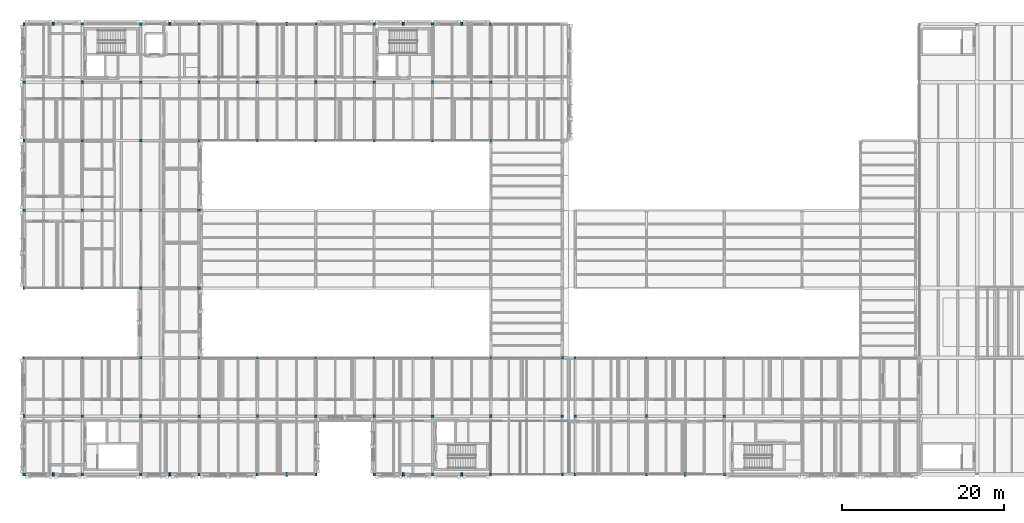
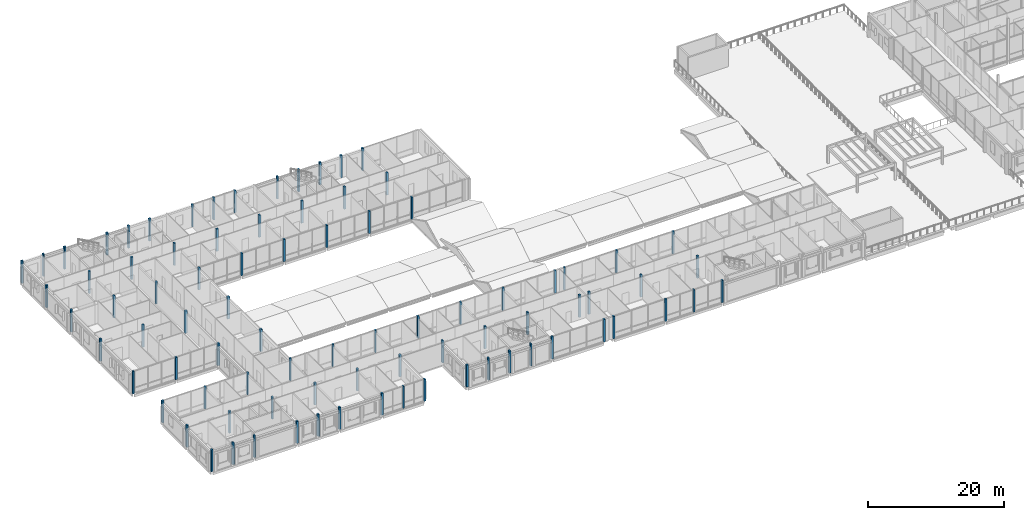
# One storey, part 1 of 115: 85 columns.
"""IFC4 building model written with IfcOpenShell, lengths in metres."""

from ifc_helpers import new_model, si_unit, direction, frame, origin, origin_2d, place, context, subcontext, project, spatial, rectangle, extrude, material, material_profile, profile_set, type_object, element, save


model = new_model("IFC4")

# Units and contexts
model_context = context("Model", 3, precision=1e-05, world=origin(), true_north=direction((0.0, 1.0)))
body_context = subcontext(model_context, "Body", "Model", "MODEL_VIEW")
ifc_project = project(units=[si_unit("LENGTHUNIT", "METRE"), si_unit("AREAUNIT", "SQUARE_METRE"), si_unit("VOLUMEUNIT", "CUBIC_METRE"), si_unit("PLANEANGLEUNIT", "RADIAN"), si_unit("MASSUNIT", "GRAM", prefix="KILO")], contexts=[model_context])

# Site, building, storey
site_placement = place(None, origin())
site = spatial("IfcSite", under=ifc_project, at=site_placement, CompositionType="ELEMENT")
building_placement = place(site_placement, origin())
building = spatial("IfcBuilding", under=site, at=building_placement, Name="Hawrajan Terrace Health Centre", CompositionType="ELEMENT")
storey_placement = place(building_placement, frame((0.0, 0.0, 9.0)))
storey = spatial("IfcBuildingStorey", under=building, at=storey_placement, Name="L02", CompositionType="ELEMENT", Elevation=9.0)

# Columns
ifc_material = material(Name="Glulam GL32h", Category="wood")
ifc_material_profile_1 = material_profile(ifc_material, rectangle(XDim=0.280029296875, YDim=0.360107421875, at=origin_2d()), Name="GL 280x360")
ifc_profile_set_1 = profile_set([ifc_material_profile_1], Name="Glulam GL32h")
column_type_1 = type_object("IfcColumnType", Name="GlulamCol_280x360", PredefinedType="COLUMN", material=ifc_profile_set_1)
for number, where, z_axis, x_axis, name in (
    (1, (72.60009765625, 4.199951171875, 0.0), (0.0, 0.0, 1.0), (1.0, 0.0, 0.0), "Column COL-L02-C-X10-Y1"),
    (2, (72.60009765625, 18.60009765625, 0.0), (0.0, 0.0, 1.0), (1.0, 0.0, 0.0), "Column COL-L02-C-X10-Y3"),
    (3, (81.39990234375, 11.39990234375, 0.0), (0.0, 0.0, 1.0), (1.0, 0.0, 0.0), "Column COL-L02-C-X11-Y2"),
    (4, (91.0, 4.199951171875, 0.0), (0.0, 0.0, 1.0), (1.0, 0.0, 0.0), "Column COL-L02-C-X12-Y1"),
    (5, (91.0, 18.60009765625, 0.0), (0.0, 0.0, 1.0), (1.0, 0.0, 0.0), "Column COL-L02-C-X12-Y3"),
):
    element("IfcColumn", number, at=place(storey_placement, frame(where, z_axis=z_axis, x_axis=x_axis)), inside=storey, type_object=column_type_1, Name=name, PredefinedType="COLUMN", context=body_context, shape_type="SweptSolid", body=[
        extrude(rectangle(XDim=0.280029296875, YDim=0.360107421875, at=origin_2d()), origin(), (0.0, 0.0, 1.0), 3.989990234375),
    ])
column_1_placement = place(storey_placement, frame((4.60009765625, 11.39990234375, 0.0), z_axis=(0.0, 0.0, 1.0), x_axis=(1.0, 0.0, 0.0)))
element("IfcColumn", 6, at=column_1_placement, inside=storey, type_object=column_type_1, Name="Column COL-L02-W-X01-Y2", PredefinedType="COLUMN", context=body_context, shape_type="SweptSolid", body=[
    extrude(rectangle(XDim=0.280029296875, YDim=0.360107421875, at=origin_2d()), origin(), (0.0, 0.0, 1.0), 3.949951171875),
])
for number, where, z_axis, x_axis, name in (
    (7, (4.60009765625, 27.199951171875, 0.0), (0.0, 0.0, 1.0), (1.0, 0.0, 0.0), "Column COL-L02-W-X01-Y4"),
    (8, (4.60009765625, 45.39990234375, 0.0), (0.0, 0.0, 1.0), (1.0, 0.0, 0.0), "Column COL-L02-W-X01-Y6"),
    (9, (4.60009765625, 59.800048828125, 0.0), (0.0, 0.0, 1.0), (1.0, 0.0, 0.0), "Column COL-L02-W-X01-Y8"),
):
    element("IfcColumn", number, at=place(storey_placement, frame(where, z_axis=z_axis, x_axis=x_axis)), inside=storey, type_object=column_type_1, Name=name, PredefinedType="COLUMN", context=body_context, shape_type="SweptSolid", body=[
        extrude(rectangle(XDim=0.280029296875, YDim=0.360107421875, at=origin_2d()), origin(), (0.0, 0.0, 1.0), 3.989990234375),
    ])
for number, where, z_axis, x_axis, name in (
    (10, (11.800048828125, 4.199951171875, 0.0), (0.0, 0.0, 1.0), (1.0, 0.0, 0.0), "Column COL-L02-W-X02-Y1"),
    (11, (11.800048828125, 18.60009765625, 0.0), (0.0, 0.0, 1.0), (1.0, 0.0, 0.0), "Column COL-L02-W-X02-Y3"),
):
    element("IfcColumn", number, at=place(storey_placement, frame(where, z_axis=z_axis, x_axis=x_axis)), inside=storey, type_object=column_type_1, Name=name, PredefinedType="COLUMN", context=body_context, shape_type="SweptSolid", body=[
        extrude(rectangle(XDim=0.280029296875, YDim=0.360107421875, at=origin_2d()), origin(), (0.0, 0.0, 1.0), 3.949951171875),
    ])
for number, where, z_axis, x_axis, name in (
    (12, (11.800048828125, 36.800048828125, 0.0), (0.0, 0.0, 1.0), (1.0, 0.0, 0.0), "Column COL-L02-W-X02-Y5"),
    (13, (11.800048828125, 52.60009765625, 0.0), (0.0, 0.0, 1.0), (1.0, 0.0, 0.0), "Column COL-L02-W-X02-Y7"),
):
    element("IfcColumn", number, at=place(storey_placement, frame(where, z_axis=z_axis, x_axis=x_axis)), inside=storey, type_object=column_type_1, Name=name, PredefinedType="COLUMN", context=body_context, shape_type="SweptSolid", body=[
        extrude(rectangle(XDim=0.280029296875, YDim=0.360107421875, at=origin_2d()), origin(), (0.0, 0.0, 1.0), 3.989990234375),
    ])
for number, where, z_axis, x_axis, name in (
    (14, (19.0, 11.39990234375, 0.0), (0.0, 0.0, 1.0), (1.0, 0.0, 0.0), "Column COL-L02-W-X03-Y2"),
    (15, (19.0, 45.39990234375, 0.0), (0.0, 0.0, 1.0), (1.0, 0.0, 0.0), "Column COL-L02-W-X03-Y6"),
):
    element("IfcColumn", number, at=place(storey_placement, frame(where, z_axis=z_axis, x_axis=x_axis)), inside=storey, type_object=column_type_1, Name=name, PredefinedType="COLUMN", context=body_context, shape_type="SweptSolid", body=[
        extrude(rectangle(XDim=0.280029296875, YDim=0.360107421875, at=origin_2d()), origin(), (0.0, 0.0, 1.0), 3.949951171875),
    ])
column_2_placement = place(storey_placement, frame((19.0, 59.800048828125, 0.0), z_axis=(0.0, 0.0, 1.0), x_axis=(1.0, 0.0, 0.0)))
element("IfcColumn", 16, at=column_2_placement, inside=storey, type_object=column_type_1, Name="Column COL-L02-W-X03-Y8", PredefinedType="COLUMN", context=body_context, shape_type="SweptSolid", body=[
    extrude(rectangle(XDim=0.280029296875, YDim=0.360107421875, at=origin_2d()), origin(), (0.0, 0.0, 1.0), 3.989990234375),
])
for number, where, z_axis, x_axis, name in (
    (17, (26.199951171875, 4.199951171875, 0.0), (0.0, 0.0, 1.0), (1.0, 0.0, 0.0), "Column COL-L02-W-X04-Y1"),
    (18, (26.199951171875, 18.60009765625, 0.0), (0.0, 0.0, 1.0), (1.0, 0.0, 0.0), "Column COL-L02-W-X04-Y3"),
):
    element("IfcColumn", number, at=place(storey_placement, frame(where, z_axis=z_axis, x_axis=x_axis)), inside=storey, type_object=column_type_1, Name=name, PredefinedType="COLUMN", context=body_context, shape_type="SweptSolid", body=[
        extrude(rectangle(XDim=0.280029296875, YDim=0.360107421875, at=origin_2d()), origin(), (0.0, 0.0, 1.0), 3.949951171875),
    ])
column_3_placement = place(storey_placement, frame((26.199951171875, 52.60009765625, 0.0), z_axis=(0.0, 0.0, 1.0), x_axis=(1.0, 0.0, 0.0)))
element("IfcColumn", 19, at=column_3_placement, inside=storey, type_object=column_type_1, Name="Column COL-L02-W-X04-Y7", PredefinedType="COLUMN", context=body_context, shape_type="SweptSolid", body=[
    extrude(rectangle(XDim=0.280029296875, YDim=0.360107421875, at=origin_2d()), origin(), (0.0, 0.0, 1.0), 3.989990234375),
])
column_4_placement = place(storey_placement, frame((33.39990234375, 11.39990234375, 0.0), z_axis=(0.0, 0.0, 1.0), x_axis=(1.0, 0.0, 0.0)))
element("IfcColumn", 20, at=column_4_placement, inside=storey, type_object=column_type_1, Name="Column COL-L02-W-X05-Y2", PredefinedType="COLUMN", context=body_context, shape_type="SweptSolid", body=[
    extrude(rectangle(XDim=0.280029296875, YDim=0.360107421875, at=origin_2d()), origin(), (0.0, 0.0, 1.0), 3.949951171875),
])
for number, where, z_axis, x_axis, name in (
    (21, (33.39990234375, 45.39990234375, 0.0), (0.0, 0.0, 1.0), (1.0, 0.0, 0.0), "Column COL-L02-W-X05-Y6"),
    (22, (33.39990234375, 59.800048828125, 0.0), (0.0, 0.0, 1.0), (1.0, 0.0, 0.0), "Column COL-L02-W-X05-Y8"),
):
    element("IfcColumn", number, at=place(storey_placement, frame(where, z_axis=z_axis, x_axis=x_axis)), inside=storey, type_object=column_type_1, Name=name, PredefinedType="COLUMN", context=body_context, shape_type="SweptSolid", body=[
        extrude(rectangle(XDim=0.280029296875, YDim=0.360107421875, at=origin_2d()), origin(), (0.0, 0.0, 1.0), 3.989990234375),
    ])
for number, where, z_axis, x_axis, name in (
    (23, (40.60009765625, 4.199951171875, 0.0), (0.0, 0.0, 1.0), (1.0, 0.0, 0.0), "Column COL-L02-W-X06-Y1"),
    (24, (40.60009765625, 18.60009765625, 0.0), (0.0, 0.0, 1.0), (1.0, 0.0, 0.0), "Column COL-L02-W-X06-Y3"),
):
    element("IfcColumn", number, at=place(storey_placement, frame(where, z_axis=z_axis, x_axis=x_axis)), inside=storey, type_object=column_type_1, Name=name, PredefinedType="COLUMN", context=body_context, shape_type="SweptSolid", body=[
        extrude(rectangle(XDim=0.280029296875, YDim=0.360107421875, at=origin_2d()), origin(), (0.0, 0.0, 1.0), 3.949951171875),
    ])
column_5_placement = place(storey_placement, frame((40.60009765625, 52.60009765625, 0.0), z_axis=(0.0, 0.0, 1.0), x_axis=(1.0, 0.0, 0.0)))
element("IfcColumn", 25, at=column_5_placement, inside=storey, type_object=column_type_1, Name="Column COL-L02-W-X06-Y7", PredefinedType="COLUMN", context=body_context, shape_type="SweptSolid", body=[
    extrude(rectangle(XDim=0.280029296875, YDim=0.360107421875, at=origin_2d()), origin(), (0.0, 0.0, 1.0), 3.989990234375),
])
column_6_placement = place(storey_placement, frame((47.800048828125, 11.39990234375, 0.0), z_axis=(0.0, 0.0, 1.0), x_axis=(1.0, 0.0, 0.0)))
element("IfcColumn", 26, at=column_6_placement, inside=storey, type_object=column_type_1, Name="Column COL-L02-W-X07-Y2", PredefinedType="COLUMN", context=body_context, shape_type="SweptSolid", body=[
    extrude(rectangle(XDim=0.280029296875, YDim=0.360107421875, at=origin_2d()), origin(), (0.0, 0.0, 1.0), 3.97998046875),
])
for number, where, z_axis, x_axis, name in (
    (27, (47.800048828125, 45.39990234375, 0.0), (0.0, 0.0, 1.0), (1.0, 0.0, 0.0), "Column COL-L02-W-X07-Y6"),
    (28, (47.800048828125, 59.800048828125, 0.0), (0.0, 0.0, 1.0), (1.0, 0.0, 0.0), "Column COL-L02-W-X07-Y8"),
    (29, (55.0, 4.199951171875, 0.0), (0.0, 0.0, 1.0), (1.0, 0.0, 0.0), "Column COL-L02-W-X08-Y1"),
    (30, (55.0, 18.60009765625, 0.0), (0.0, 0.0, 1.0), (1.0, 0.0, 0.0), "Column COL-L02-W-X08-Y3"),
    (31, (55.0, 52.60009765625, 0.0), (0.0, 0.0, 1.0), (1.0, 0.0, 0.0), "Column COL-L02-W-X08-Y7"),
    (32, (62.199951171875, 11.39990234375, 0.0), (0.0, 0.0, 1.0), (1.0, 0.0, 0.0), "Column COL-L02-W-X09-Y2"),
):
    element("IfcColumn", number, at=place(storey_placement, frame(where, z_axis=z_axis, x_axis=x_axis)), inside=storey, type_object=column_type_1, Name=name, PredefinedType="COLUMN", context=body_context, shape_type="SweptSolid", body=[
        extrude(rectangle(XDim=0.280029296875, YDim=0.360107421875, at=origin_2d()), origin(), (0.0, 0.0, 1.0), 3.989990234375),
    ])
for number, where, z_axis, x_axis, name in (
    (33, (62.199951171875, 45.39990234375, 0.0), (0.0, 0.0, 1.0), (1.0, 0.0, 0.0), "Column COL-L02-W-X09-Y6"),
    (34, (62.199951171875, 59.800048828125, 0.0), (0.0, 0.0, 1.0), (1.0, 0.0, 0.0), "Column COL-L02-W-X09-Y8"),
):
    element("IfcColumn", number, at=place(storey_placement, frame(where, z_axis=z_axis, x_axis=x_axis)), inside=storey, type_object=column_type_1, Name=name, PredefinedType="COLUMN", context=body_context, shape_type="SweptSolid", body=[
        extrude(rectangle(XDim=0.280029296875, YDim=0.360107421875, at=origin_2d()), origin(), (0.0, 0.0, 1.0), 3.97998046875),
    ])
for number, where, z_axis, x_axis, name in (
    (35, (71.0, 4.199951171875, 0.0), (0.0, 0.0, 1.0), (1.0, 0.0, 0.0), "Column COL-L02-W-X10-Y1"),
    (36, (71.0, 18.60009765625, 0.0), (0.0, 0.0, 1.0), (1.0, 0.0, 0.0), "Column COL-L02-W-X10-Y3"),
):
    element("IfcColumn", number, at=place(storey_placement, frame(where, z_axis=z_axis, x_axis=x_axis)), inside=storey, type_object=column_type_1, Name=name, PredefinedType="COLUMN", context=body_context, shape_type="SweptSolid", body=[
        extrude(rectangle(XDim=0.280029296875, YDim=0.360107421875, at=origin_2d()), origin(), (0.0, 0.0, 1.0), 3.989990234375),
    ])
ifc_material_profile_2 = material_profile(ifc_material, rectangle(XDim=0.320068359375, YDim=0.320068359375, at=origin_2d()), Name="GL 320x320")
ifc_profile_set_2 = profile_set([ifc_material_profile_2], Name="Glulam GL32h")
column_type_2 = type_object("IfcColumnType", Name="GlulamCol_320x320", PredefinedType="COLUMN", material=ifc_profile_set_2)
for number, where, z_axis, x_axis, name in (
    (37, (72.60009765625, 11.39990234375, 0.0), (0.0, 0.0, 1.0), (1.0, 0.0, 0.0), "Column COL-L02-C-X10-Y2"),
    (38, (81.39990234375, 4.199951171875, 0.0), (0.0, 0.0, 1.0), (1.0, 0.0, 0.0), "Column COL-L02-C-X11-Y1"),
    (39, (81.39990234375, 18.60009765625, 0.0), (0.0, 0.0, 1.0), (1.0, 0.0, 0.0), "Column COL-L02-C-X11-Y3"),
    (40, (91.0, 11.39990234375, 0.0), (0.0, 0.0, 1.0), (1.0, 0.0, 0.0), "Column COL-L02-C-X12-Y2"),
):
    element("IfcColumn", number, at=place(storey_placement, frame(where, z_axis=z_axis, x_axis=x_axis)), inside=storey, type_object=column_type_2, Name=name, PredefinedType="COLUMN", context=body_context, shape_type="SweptSolid", body=[
        extrude(rectangle(XDim=0.320068359375, YDim=0.320068359375, at=origin_2d()), origin(), (0.0, 0.0, 1.0), 3.989990234375),
    ])
for number, where, z_axis, x_axis, name in (
    (41, (4.60009765625, 4.199951171875, 0.0), (0.0, 0.0, 1.0), (1.0, 0.0, 0.0), "Column COL-L02-W-X01-Y1"),
    (42, (4.60009765625, 18.60009765625, 0.0), (0.0, 0.0, 1.0), (1.0, 0.0, 0.0), "Column COL-L02-W-X01-Y3"),
):
    element("IfcColumn", number, at=place(storey_placement, frame(where, z_axis=z_axis, x_axis=x_axis)), inside=storey, type_object=column_type_2, Name=name, PredefinedType="COLUMN", context=body_context, shape_type="SweptSolid", body=[
        extrude(rectangle(XDim=0.320068359375, YDim=0.320068359375, at=origin_2d()), origin(), (0.0, 0.0, 1.0), 3.949951171875),
    ])
for number, where, z_axis, x_axis, name in (
    (43, (4.60009765625, 36.800048828125, 0.0), (0.0, 0.0, 1.0), (1.0, 0.0, 0.0), "Column COL-L02-W-X01-Y5"),
    (44, (4.60009765625, 52.60009765625, 0.0), (0.0, 0.0, 1.0), (1.0, 0.0, 0.0), "Column COL-L02-W-X01-Y7"),
):
    element("IfcColumn", number, at=place(storey_placement, frame(where, z_axis=z_axis, x_axis=x_axis)), inside=storey, type_object=column_type_2, Name=name, PredefinedType="COLUMN", context=body_context, shape_type="SweptSolid", body=[
        extrude(rectangle(XDim=0.320068359375, YDim=0.320068359375, at=origin_2d()), origin(), (0.0, 0.0, 1.0), 3.989990234375),
    ])
column_7_placement = place(storey_placement, frame((11.800048828125, 11.39990234375, 0.0), z_axis=(0.0, 0.0, 1.0), x_axis=(1.0, 0.0, 0.0)))
element("IfcColumn", 45, at=column_7_placement, inside=storey, type_object=column_type_2, Name="Column COL-L02-W-X02-Y2", PredefinedType="COLUMN", context=body_context, shape_type="SweptSolid", body=[
    extrude(rectangle(XDim=0.320068359375, YDim=0.320068359375, at=origin_2d()), origin(), (0.0, 0.0, 1.0), 3.949951171875),
])
for number, where, z_axis, x_axis, name in (
    (46, (11.800048828125, 27.199951171875, 0.0), (0.0, 0.0, 1.0), (1.0, 0.0, 0.0), "Column COL-L02-W-X02-Y4"),
    (47, (11.800048828125, 45.39990234375, 0.0), (0.0, 0.0, 1.0), (1.0, 0.0, 0.0), "Column COL-L02-W-X02-Y6"),
    (48, (11.800048828125, 59.800048828125, 0.0), (0.0, 0.0, 1.0), (1.0, 0.0, 0.0), "Column COL-L02-W-X02-Y8"),
):
    element("IfcColumn", number, at=place(storey_placement, frame(where, z_axis=z_axis, x_axis=x_axis)), inside=storey, type_object=column_type_2, Name=name, PredefinedType="COLUMN", context=body_context, shape_type="SweptSolid", body=[
        extrude(rectangle(XDim=0.320068359375, YDim=0.320068359375, at=origin_2d()), origin(), (0.0, 0.0, 1.0), 3.989990234375),
    ])
for number, where, z_axis, x_axis, name in (
    (49, (19.0, 4.199951171875, 0.0), (0.0, 0.0, 1.0), (1.0, 0.0, 0.0), "Column COL-L02-W-X03-Y1"),
    (50, (19.0, 18.60009765625, 0.0), (0.0, 0.0, 1.0), (1.0, 0.0, 0.0), "Column COL-L02-W-X03-Y3"),
):
    element("IfcColumn", number, at=place(storey_placement, frame(where, z_axis=z_axis, x_axis=x_axis)), inside=storey, type_object=column_type_2, Name=name, PredefinedType="COLUMN", context=body_context, shape_type="SweptSolid", body=[
        extrude(rectangle(XDim=0.320068359375, YDim=0.320068359375, at=origin_2d()), origin(), (0.0, 0.0, 1.0), 3.949951171875),
    ])
column_8_placement = place(storey_placement, frame((19.0, 52.60009765625, 0.0), z_axis=(0.0, 0.0, 1.0), x_axis=(1.0, 0.0, 0.0)))
element("IfcColumn", 51, at=column_8_placement, inside=storey, type_object=column_type_2, Name="Column COL-L02-W-X03-Y7", PredefinedType="COLUMN", context=body_context, shape_type="SweptSolid", body=[
    extrude(rectangle(XDim=0.320068359375, YDim=0.320068359375, at=origin_2d()), origin(), (0.0, 0.0, 1.0), 3.989990234375),
])
for number, where, z_axis, x_axis, name in (
    (52, (26.199951171875, 11.39990234375, 0.0), (0.0, 0.0, 1.0), (1.0, 0.0, 0.0), "Column COL-L02-W-X04-Y2"),
    (53, (26.199951171875, 45.39990234375, 0.0), (0.0, 0.0, 1.0), (1.0, 0.0, 0.0), "Column COL-L02-W-X04-Y6"),
):
    element("IfcColumn", number, at=place(storey_placement, frame(where, z_axis=z_axis, x_axis=x_axis)), inside=storey, type_object=column_type_2, Name=name, PredefinedType="COLUMN", context=body_context, shape_type="SweptSolid", body=[
        extrude(rectangle(XDim=0.320068359375, YDim=0.320068359375, at=origin_2d()), origin(), (0.0, 0.0, 1.0), 3.949951171875),
    ])
column_9_placement = place(storey_placement, frame((26.199951171875, 59.800048828125, 0.0), z_axis=(0.0, 0.0, 1.0), x_axis=(1.0, 0.0, 0.0)))
element("IfcColumn", 54, at=column_9_placement, inside=storey, type_object=column_type_2, Name="Column COL-L02-W-X04-Y8", PredefinedType="COLUMN", context=body_context, shape_type="SweptSolid", body=[
    extrude(rectangle(XDim=0.320068359375, YDim=0.320068359375, at=origin_2d()), origin(), (0.0, 0.0, 1.0), 3.989990234375),
])
for number, where, z_axis, x_axis, name in (
    (55, (33.39990234375, 4.199951171875, 0.0), (0.0, 0.0, 1.0), (1.0, 0.0, 0.0), "Column COL-L02-W-X05-Y1"),
    (56, (33.39990234375, 18.60009765625, 0.0), (0.0, 0.0, 1.0), (1.0, 0.0, 0.0), "Column COL-L02-W-X05-Y3"),
):
    element("IfcColumn", number, at=place(storey_placement, frame(where, z_axis=z_axis, x_axis=x_axis)), inside=storey, type_object=column_type_2, Name=name, PredefinedType="COLUMN", context=body_context, shape_type="SweptSolid", body=[
        extrude(rectangle(XDim=0.320068359375, YDim=0.320068359375, at=origin_2d()), origin(), (0.0, 0.0, 1.0), 3.949951171875),
    ])
column_10_placement = place(storey_placement, frame((33.39990234375, 52.60009765625, 0.0), z_axis=(0.0, 0.0, 1.0), x_axis=(1.0, 0.0, 0.0)))
element("IfcColumn", 57, at=column_10_placement, inside=storey, type_object=column_type_2, Name="Column COL-L02-W-X05-Y7", PredefinedType="COLUMN", context=body_context, shape_type="SweptSolid", body=[
    extrude(rectangle(XDim=0.320068359375, YDim=0.320068359375, at=origin_2d()), origin(), (0.0, 0.0, 1.0), 3.989990234375),
])
column_11_placement = place(storey_placement, frame((40.60009765625, 11.39990234375, 0.0), z_axis=(0.0, 0.0, 1.0), x_axis=(1.0, 0.0, 0.0)))
element("IfcColumn", 58, at=column_11_placement, inside=storey, type_object=column_type_2, Name="Column COL-L02-W-X06-Y2", PredefinedType="COLUMN", context=body_context, shape_type="SweptSolid", body=[
    extrude(rectangle(XDim=0.320068359375, YDim=0.320068359375, at=origin_2d()), origin(), (0.0, 0.0, 1.0), 3.949951171875),
])
for number, where, z_axis, x_axis, name in (
    (59, (40.60009765625, 45.39990234375, 0.0), (0.0, 0.0, 1.0), (1.0, 0.0, 0.0), "Column COL-L02-W-X06-Y6"),
    (60, (40.60009765625, 59.800048828125, 0.0), (0.0, 0.0, 1.0), (1.0, 0.0, 0.0), "Column COL-L02-W-X06-Y8"),
    (61, (47.800048828125, 4.199951171875, 0.0), (0.0, 0.0, 1.0), (1.0, 0.0, 0.0), "Column COL-L02-W-X07-Y1"),
):
    element("IfcColumn", number, at=place(storey_placement, frame(where, z_axis=z_axis, x_axis=x_axis)), inside=storey, type_object=column_type_2, Name=name, PredefinedType="COLUMN", context=body_context, shape_type="SweptSolid", body=[
        extrude(rectangle(XDim=0.320068359375, YDim=0.320068359375, at=origin_2d()), origin(), (0.0, 0.0, 1.0), 3.989990234375),
    ])
column_12_placement = place(storey_placement, frame((47.800048828125, 18.60009765625, 0.0), z_axis=(0.0, 0.0, 1.0), x_axis=(1.0, 0.0, 0.0)))
element("IfcColumn", 62, at=column_12_placement, inside=storey, type_object=column_type_2, Name="Column COL-L02-W-X07-Y3", PredefinedType="COLUMN", context=body_context, shape_type="SweptSolid", body=[
    extrude(rectangle(XDim=0.320068359375, YDim=0.320068359375, at=origin_2d()), origin(), (0.0, 0.0, 1.0), 3.97998046875),
])
for number, where, z_axis, x_axis, name in (
    (63, (47.800048828125, 52.60009765625, 0.0), (0.0, 0.0, 1.0), (1.0, 0.0, 0.0), "Column COL-L02-W-X07-Y7"),
    (64, (55.0, 11.39990234375, 0.0), (0.0, 0.0, 1.0), (1.0, 0.0, 0.0), "Column COL-L02-W-X08-Y2"),
    (65, (55.0, 45.39990234375, 0.0), (0.0, 0.0, 1.0), (1.0, 0.0, 0.0), "Column COL-L02-W-X08-Y6"),
    (66, (55.0, 59.800048828125, 0.0), (0.0, 0.0, 1.0), (1.0, 0.0, 0.0), "Column COL-L02-W-X08-Y8"),
    (67, (62.199951171875, 4.199951171875, 0.0), (0.0, 0.0, 1.0), (1.0, 0.0, 0.0), "Column COL-L02-W-X09-Y1"),
    (68, (62.199951171875, 18.60009765625, 0.0), (0.0, 0.0, 1.0), (1.0, 0.0, 0.0), "Column COL-L02-W-X09-Y3"),
):
    element("IfcColumn", number, at=place(storey_placement, frame(where, z_axis=z_axis, x_axis=x_axis)), inside=storey, type_object=column_type_2, Name=name, PredefinedType="COLUMN", context=body_context, shape_type="SweptSolid", body=[
        extrude(rectangle(XDim=0.320068359375, YDim=0.320068359375, at=origin_2d()), origin(), (0.0, 0.0, 1.0), 3.989990234375),
    ])
column_13_placement = place(storey_placement, frame((62.199951171875, 52.60009765625, 0.0), z_axis=(0.0, 0.0, 1.0), x_axis=(1.0, 0.0, 0.0)))
element("IfcColumn", 69, at=column_13_placement, inside=storey, type_object=column_type_2, Name="Column COL-L02-W-X09-Y7", PredefinedType="COLUMN", context=body_context, shape_type="SweptSolid", body=[
    extrude(rectangle(XDim=0.320068359375, YDim=0.320068359375, at=origin_2d()), origin(), (0.0, 0.0, 1.0), 3.97998046875),
])
column_14_placement = place(storey_placement, frame((71.0, 11.39990234375, 0.0), z_axis=(0.0, 0.0, 1.0), x_axis=(1.0, 0.0, 0.0)))
element("IfcColumn", 70, at=column_14_placement, inside=storey, type_object=column_type_2, Name="Column COL-L02-W-X10-Y2", PredefinedType="COLUMN", context=body_context, shape_type="SweptSolid", body=[
    extrude(rectangle(XDim=0.320068359375, YDim=0.320068359375, at=origin_2d()), origin(), (0.0, 0.0, 1.0), 3.989990234375),
])
ifc_material_profile_3 = material_profile(ifc_material, rectangle(XDim=0.360107421875, YDim=0.360107421875, at=origin_2d()), Name="GL 360x360")
ifc_profile_set_3 = profile_set([ifc_material_profile_3], Name="Glulam GL32h")
column_type_3 = type_object("IfcColumnType", Name="GlulamCol_360x360", PredefinedType="COLUMN", material=ifc_profile_set_3)
for number, where, z_axis, x_axis, name in (
    (71, (19.0, 27.199951171875, 0.0), (0.0, 0.0, 1.0), (1.0, 0.0, 0.0), "Column COL-L02-W-X03-Y4"),
    (72, (19.0, 36.800048828125, 0.0), (0.0, 0.0, 1.0), (1.0, 0.0, 0.0), "Column COL-L02-W-X03-Y5"),
    (73, (26.199951171875, 27.199951171875, 0.0), (0.0, 0.0, 1.0), (1.0, 0.0, 0.0), "Column COL-L02-W-X04-Y4"),
    (74, (26.199951171875, 36.800048828125, 0.0), (0.0, 0.0, 1.0), (1.0, 0.0, 0.0), "Column COL-L02-W-X04-Y5"),
):
    element("IfcColumn", number, at=place(storey_placement, frame(where, z_axis=z_axis, x_axis=x_axis)), inside=storey, type_object=column_type_3, Name=name, PredefinedType="COLUMN", context=body_context, shape_type="SweptSolid", body=[
        extrude(rectangle(XDim=0.360107421875, YDim=0.360107421875, at=origin_2d()), origin(), (0.0, 0.0, 1.0), 3.949951171875),
    ])
ifc_material_profile_4 = material_profile(ifc_material, rectangle(XDim=0.239990234375, YDim=0.3798828125, at=origin_2d()), Name="GL PIL 240x380")
ifc_profile_set_4 = profile_set([ifc_material_profile_4], Name="Glulam GL32h")
column_type_4 = type_object("IfcColumnType", Name="GlulamPilaster_240x380", PredefinedType="PILASTER", material=ifc_profile_set_4)
column_15_placement = place(storey_placement, frame((8.199951171875, 4.199951171875, 0.0), z_axis=(0.0, 0.0, 1.0), x_axis=(1.0, 0.0, 0.0)))
element("IfcColumn", 75, at=column_15_placement, inside=storey, type_object=column_type_4, Name="Art Deco fluted pilaster L02-01-Y1", PredefinedType="PILASTER", context=body_context, shape_type="SweptSolid", body=[
    extrude(rectangle(XDim=0.239990234375, YDim=0.3798828125, at=origin_2d()), origin(), (0.0, 0.0, 1.0), 3.949951171875),
])
column_16_placement = place(storey_placement, frame((8.199951171875, 59.800048828125, 0.0), z_axis=(0.0, 0.0, 1.0), x_axis=(1.0, 0.0, 0.0)))
element("IfcColumn", 76, at=column_16_placement, inside=storey, type_object=column_type_4, Name="Art Deco fluted pilaster L02-01-Y8", PredefinedType="PILASTER", context=body_context, shape_type="SweptSolid", body=[
    extrude(rectangle(XDim=0.239990234375, YDim=0.3798828125, at=origin_2d()), origin(), (0.0, 0.0, 1.0), 3.989990234375),
])
column_17_placement = place(storey_placement, frame((22.60009765625, 4.199951171875, 0.0), z_axis=(0.0, 0.0, 1.0), x_axis=(1.0, 0.0, 0.0)))
element("IfcColumn", 77, at=column_17_placement, inside=storey, type_object=column_type_4, Name="Art Deco fluted pilaster L02-03-Y1", PredefinedType="PILASTER", context=body_context, shape_type="SweptSolid", body=[
    extrude(rectangle(XDim=0.239990234375, YDim=0.3798828125, at=origin_2d()), origin(), (0.0, 0.0, 1.0), 3.949951171875),
])
column_18_placement = place(storey_placement, frame((22.60009765625, 59.800048828125, 0.0), z_axis=(0.0, 0.0, 1.0), x_axis=(1.0, 0.0, 0.0)))
element("IfcColumn", 78, at=column_18_placement, inside=storey, type_object=column_type_4, Name="Art Deco fluted pilaster L02-03-Y8", PredefinedType="PILASTER", context=body_context, shape_type="SweptSolid", body=[
    extrude(rectangle(XDim=0.239990234375, YDim=0.3798828125, at=origin_2d()), origin(), (0.0, 0.0, 1.0), 3.989990234375),
])
column_19_placement = place(storey_placement, frame((37.0, 4.199951171875, 0.0), z_axis=(0.0, 0.0, 1.0), x_axis=(1.0, 0.0, 0.0)))
element("IfcColumn", 79, at=column_19_placement, inside=storey, type_object=column_type_4, Name="Art Deco fluted pilaster L02-05-Y1", PredefinedType="PILASTER", context=body_context, shape_type="SweptSolid", body=[
    extrude(rectangle(XDim=0.239990234375, YDim=0.3798828125, at=origin_2d()), origin(), (0.0, 0.0, 1.0), 3.949951171875),
])
for number, where, z_axis, x_axis, name in (
    (80, (37.0, 59.800048828125, 0.0), (0.0, 0.0, 1.0), (1.0, 0.0, 0.0), "Art Deco fluted pilaster L02-05-Y8"),
    (81, (51.39990234375, 4.199951171875, 0.0), (0.0, 0.0, 1.0), (1.0, 0.0, 0.0), "Art Deco fluted pilaster L02-07-Y1"),
    (82, (51.39990234375, 59.800048828125, 0.0), (0.0, 0.0, 1.0), (1.0, 0.0, 0.0), "Art Deco fluted pilaster L02-07-Y8"),
    (83, (58.60009765625, 4.199951171875, 0.0), (0.0, 0.0, 1.0), (1.0, 0.0, 0.0), "Art Deco fluted pilaster L02-08-Y1"),
    (84, (58.60009765625, 59.800048828125, 0.0), (0.0, 0.0, 1.0), (1.0, 0.0, 0.0), "Art Deco fluted pilaster L02-08-Y8"),
    (85, (86.199951171875, 4.199951171875, 0.0), (0.0, 0.0, 1.0), (1.0, 0.0, 0.0), "Art Deco fluted pilaster L02-11-Y1"),
):
    element("IfcColumn", number, at=place(storey_placement, frame(where, z_axis=z_axis, x_axis=x_axis)), inside=storey, type_object=column_type_4, Name=name, PredefinedType="PILASTER", context=body_context, shape_type="SweptSolid", body=[
        extrude(rectangle(XDim=0.239990234375, YDim=0.3798828125, at=origin_2d()), origin(), (0.0, 0.0, 1.0), 3.989990234375),
    ])

save(model, "model.ifc")
